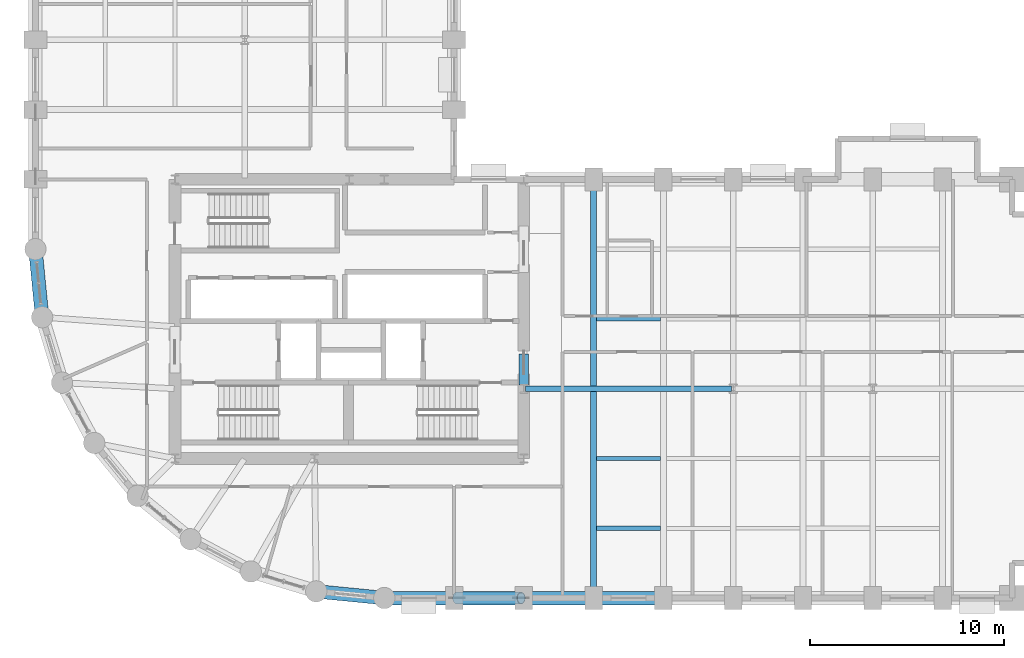
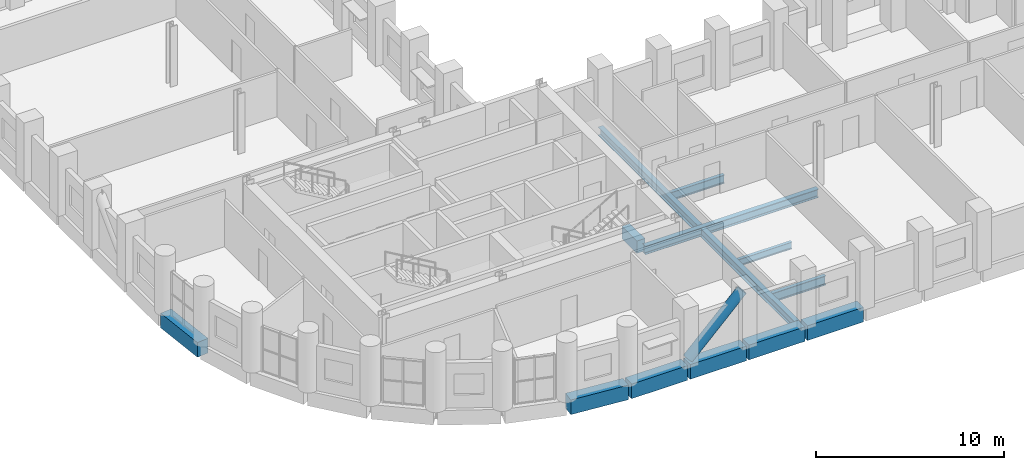
# One storey, part 4 of 13: 12 beams, 1 member.
"""IFC4 building model written with IfcOpenShell, lengths in metres."""

import ifcopenshell
import ifcopenshell.guid

model = None  # the IFC model being written
_history = None  # IfcOwnerHistory: only IFC2X3 demands one
_inside = {}  # id of a spatial element -> (the spatial element, [elements in it])
_under = {}  # id of a project, library or spatial element -> (it, [spatial elements below it])
_declared = {}  # id of a project -> (the project, [libraries it declares])
_typed = {}  # id of a type object -> (the type object, [elements of that type])
_made_of = {}  # id of a material, layer set ... -> (it, [elements and type objects made of it])


def new_model(schema):
    """Start an empty IFC model of exactly this schema.

    Asked for "IFC4X3", IfcOpenShell would pick the latest addendum, in which some entities
    have other attributes; the version numbers below select the first issue.
    IFC2X3 requires an IfcOwnerHistory on every rooted entity: one is made here for all.
    """
    global model, _history
    if schema == "IFC4X3":
        model = ifcopenshell.file(schema_version=(4, 3, 0, 0))
    else:
        model = ifcopenshell.file(schema=schema)
    _inside.clear()
    _under.clear()
    _declared.clear()
    _typed.clear()
    _made_of.clear()
    _history = None
    if model.schema == "IFC2X3":
        org = make("IfcOrganization", Name="unknown")
        user = make(
            "IfcPersonAndOrganization",
            ThePerson=make("IfcPerson", FamilyName="unknown"),
            TheOrganization=org,
        )
        app = make(
            "IfcApplication",
            ApplicationDeveloper=org,
            Version="unknown",
            ApplicationFullName="unknown",
            ApplicationIdentifier="unknown",
        )
        _history = make(
            "IfcOwnerHistory",
            OwningUser=user,
            OwningApplication=app,
            ChangeAction="ADDED",
            CreationDate=0,
        )
    return model


def make(cls, **values):
    """One entity of the class cls with the attributes given. An attribute that is None is left unset."""
    return model.create_entity(
        cls, **{name: value for name, value in values.items() if value is not None}
    )


def rooted(cls, **values):
    """An entity with a GlobalId (a new one), such as an element, a storey or a relation."""
    return make(cls, GlobalId=ifcopenshell.guid.new(), OwnerHistory=_history, **values)


def si_unit(unit_type, name, prefix=None):
    """IfcSIUnit, for example si_unit("LENGTHUNIT", "METRE", prefix="MILLI")."""
    return make("IfcSIUnit", UnitType=unit_type, Prefix=prefix, Name=name)


def assignment(units):
    """IfcUnitAssignment: the units of a project."""
    return None if units is None else make("IfcUnitAssignment", Units=units)


def point(xyz):
    """IfcCartesianPoint."""
    return None if xyz is None else make("IfcCartesianPoint", Coordinates=xyz)


def direction(xyz):
    """IfcDirection."""
    return None if xyz is None else make("IfcDirection", DirectionRatios=xyz)


def frame(location, z_axis=None, x_axis=None):
    """IfcAxis2Placement3D, a coordinate frame: its origin and axes. An axis left out is left unset."""
    return make(
        "IfcAxis2Placement3D",
        Location=point(location),
        Axis=direction(z_axis),
        RefDirection=direction(x_axis),
    )


def frame_2d(location, x_axis=None):
    """IfcAxis2Placement2D, a coordinate frame in the plane: its origin and x axis."""
    return make(
        "IfcAxis2Placement2D", Location=point(location), RefDirection=direction(x_axis)
    )


def origin():
    """The frame at (0, 0, 0) with its axes left unset."""
    return frame((0.0, 0.0, 0.0))


def origin_2d():
    """The frame at (0, 0) in the plane with its x axis left unset."""
    return frame_2d((0.0, 0.0))


def place(relative_to, where):
    """IfcLocalPlacement: puts the frame where relative to a parent placement (None: the world)."""
    return make(
        "IfcLocalPlacement", PlacementRelTo=relative_to, RelativePlacement=where
    )


def context(
    kind, dimensions, precision=None, world=None, true_north=None, identifier=None
):
    """IfcGeometricRepresentationContext, for example the 3D "Model" context."""
    return make(
        "IfcGeometricRepresentationContext",
        ContextIdentifier=identifier,
        ContextType=kind,
        CoordinateSpaceDimension=dimensions,
        Precision=precision,
        WorldCoordinateSystem=world,
        TrueNorth=true_north,
    )


def subcontext(parent, identifier, kind, view, scale=None):
    """IfcGeometricRepresentationSubContext, for example "Body" below "Model"."""
    return make(
        "IfcGeometricRepresentationSubContext",
        ContextIdentifier=identifier,
        ContextType=kind,
        ParentContext=parent,
        TargetScale=scale,
        TargetView=view,
    )


def project(units=None, contexts=None):
    """IfcProject with its units and contexts."""
    return rooted(
        "IfcProject",
        Name="project",
        RepresentationContexts=contexts,
        UnitsInContext=assignment(units),
    )


def spatial(cls, under=None, at=None, **own):
    """A site, building, storey or space (cls), placed at a placement, below another one or the project."""
    s = rooted(cls, ObjectPlacement=at, **own)
    if under is not None:
        _under.setdefault(under.id(), (under, []))[1].append(s)
    return s


def profile(cls, at=None, kind="AREA", **sizes):
    """A parametric profile (cls). Its sizes go by their IFC names, for example OverallWidth=200.0."""
    return make(cls, ProfileType=kind, Position=at, **sizes)


def rectangle(**sizes):
    """IfcRectangleProfileDef."""
    return profile("IfcRectangleProfileDef", **sizes)


def hollow_circle(**sizes):
    """IfcCircleHollowProfileDef."""
    return profile("IfcCircleHollowProfileDef", **sizes)


def i_section(**sizes):
    """IfcIShapeProfileDef."""
    return profile("IfcIShapeProfileDef", **sizes)


def extrude(swept, where, along, depth):
    """IfcExtrudedAreaSolid: the profile swept, set in the frame where, extruded along a direction by depth."""
    return make(
        "IfcExtrudedAreaSolid",
        SweptArea=swept,
        Position=where,
        ExtrudedDirection=direction(along),
        Depth=depth,
    )


def shape(context_of_items, identifier, shape_type, items):
    """IfcShapeRepresentation: the items that make up one representation, for example the "Body"."""
    return make(
        "IfcShapeRepresentation",
        ContextOfItems=context_of_items,
        RepresentationIdentifier=identifier,
        RepresentationType=shape_type,
        Items=items,
    )


def material(Name=None, Category=None):
    """IfcMaterial."""
    return make("IfcMaterial", Name=Name, Category=Category)


def material_profile(
    of_material, cross_section, Name=None, Category=None, Priority=None
):
    """IfcMaterialProfile: a cross section and its material."""
    return make(
        "IfcMaterialProfile",
        Name=Name,
        Material=of_material,
        Profile=cross_section,
        Priority=Priority,
        Category=Category,
    )


def profile_set(profiles, Name=None, composite=None):
    """IfcMaterialProfileSet."""
    return make(
        "IfcMaterialProfileSet",
        Name=Name,
        MaterialProfiles=profiles,
        CompositeProfile=composite,
    )


def made_of(thing, what):
    """Note that an element or type object is made of a material, layer set ...; save() writes the relation."""
    if what is not None:
        _made_of.setdefault(what.id(), (what, []))[1].append(thing)
    return thing


def type_object(cls, material=None, **own):
    """A type object (cls), such as IfcWallType, which elements share."""
    return made_of(rooted(cls, **own), material)


def element(
    cls,
    number,
    at=None,
    inside=None,
    cuts=None,
    type_object=None,
    material=None,
    context=None,
    identifier="Body",
    shape_type=None,
    held_by="IfcProductDefinitionShape",
    body=None,
    shapes=None,
    **own,
):
    """One element of the class cls, such as IfcWall. Its Tag is "e" and its number.

    at: its placement. inside: the storey or other place that contains it. cuts: it is an
    opening in that element (IfcRelVoidsElement). A single representation is given by context,
    identifier, shape_type and body (its items); several are given by shapes. held_by: the class
    of the entity that holds the representations. save() writes the other relations.
    """
    e = rooted(cls, Tag="e%d" % number, ObjectPlacement=at, **own)
    if body is not None:
        shapes = [shape(context, identifier, shape_type, body)]
    if shapes is not None:
        e.Representation = make(held_by, Representations=shapes)
    if inside is not None:
        _inside.setdefault(inside.id(), (inside, []))[1].append(e)
    if cuts is not None:
        rooted(
            "IfcRelVoidsElement", RelatingBuildingElement=cuts, RelatedOpeningElement=e
        )
    if type_object is not None:
        _typed.setdefault(type_object.id(), (type_object, []))[1].append(e)
    return made_of(e, material)


def aggregate(whole, parts):
    """IfcRelAggregates: a whole, such as a stair, and the parts it consists of."""
    return rooted("IfcRelAggregates", RelatingObject=whole, RelatedObjects=parts)


def save(model, path):
    """Write the relations noted so far, then the file.

    IfcRelAggregates (storeys below a building ...), IfcRelContainedInSpatialStructure (elements
    in a storey), IfcRelDefinesByType, IfcRelAssociatesMaterial and IfcRelDeclares: one each for
    every whole, place, type object, material and project.
    """
    for whole, parts in _under.values():
        aggregate(whole, parts)
    for where, things in _inside.values():
        rooted(
            "IfcRelContainedInSpatialStructure",
            RelatedElements=things,
            RelatingStructure=where,
        )
    for kind, things in _typed.values():
        rooted("IfcRelDefinesByType", RelatedObjects=things, RelatingType=kind)
    for what, things in _made_of.values():
        rooted("IfcRelAssociatesMaterial", RelatedObjects=things, RelatingMaterial=what)
    for by, libraries in _declared.values():
        rooted("IfcRelDeclares", RelatingContext=by, RelatedDefinitions=libraries)
    model.write(path)


model = new_model("IFC4")

# Units and contexts
model_context = context("Model", 3, precision=1e-05, world=origin(), true_north=direction((0.0, 1.0)))
body_context = subcontext(model_context, "Body", "Model", "MODEL_VIEW")
ifc_project = project(units=[si_unit("LENGTHUNIT", "METRE"), si_unit("AREAUNIT", "SQUARE_METRE"), si_unit("VOLUMEUNIT", "CUBIC_METRE"), si_unit("PLANEANGLEUNIT", "RADIAN"), si_unit("MASSUNIT", "GRAM", prefix="KILO")], contexts=[model_context])

# Site, building, storey
site_placement = place(None, origin())
site = spatial("IfcSite", under=ifc_project, at=site_placement, CompositionType="ELEMENT")
building_placement = place(site_placement, origin())
building = spatial("IfcBuilding", under=site, at=building_placement, Name="Solnavia Interchange Tower", CompositionType="ELEMENT")
storey_placement = place(building_placement, frame((0.0, 0.0, 39.60009765625)))
storey = spatial("IfcBuildingStorey", under=building, at=storey_placement, Name="L09", CompositionType="ELEMENT", Elevation=39.60009765625)

# Beams
ifc_material_1 = material(Name="Concrete C50/60", Category="concrete")
ifc_material_profile_1 = material_profile(ifc_material_1, rectangle(XDim=0.5, YDim=0.800048828125, at=origin_2d()), Name="RC 500x800")
ifc_profile_set_1 = profile_set([ifc_material_profile_1], Name="Concrete C50/60")
beam_type_1 = type_object("IfcBeamType", Name="Beam-Coupling-RC500x800", PredefinedType="LINTEL", material=ifc_profile_set_1)
beam_1_placement = place(storey_placement, frame((32.39990234375, 14.60009765625, -0.400146484375), z_axis=(0.0, 1.0, 0.0), x_axis=(-1.0, 0.0, 0.0)))
element("IfcBeam", 1, at=beam_1_placement, inside=storey, type_object=beam_type_1, Name="CPB-L09-E1 Core coupling lintel beam", PredefinedType="LINTEL", context=body_context, shape_type="SweptSolid", body=[
    extrude(rectangle(XDim=0.5, YDim=0.800048828125, at=origin_2d()), origin(), (0.0, 0.0, 1.0), 1.599853515625),
])
ifc_material_2 = material(Name="Steel S460", Category="steel")
ifc_material_profile_2 = material_profile(ifc_material_2, i_section(OverallWidth=0.300048828125, OverallDepth=0.550048828125, WebThickness=0.014892578125, FlangeThickness=0.029052734375, FilletRadius=0.027099609375, at=origin_2d()), Name="HEB 550")
ifc_profile_set_2 = profile_set([ifc_material_profile_2], Name="Steel S460")
beam_type_2 = type_object("IfcBeamType", Name="Beam-Girder-HEB550", PredefinedType="BEAM", material=ifc_profile_set_2)
beam_2_placement = place(storey_placement, frame((32.47998046875, 14.39990234375, -0.525146484375), z_axis=(1.0, 0.0, 0.0), x_axis=(0.0, 1.0, 0.0)))
element("IfcBeam", 2, at=beam_2_placement, inside=storey, type_object=beam_type_2, Name="GRD-L09-ES01 East wing spine girder", PredefinedType="BEAM", context=body_context, shape_type="SweptSolid", body=[
    extrude(i_section(OverallWidth=0.300048828125, OverallDepth=0.550048828125, WebThickness=0.014892578125, FlangeThickness=0.029052734375, FilletRadius=0.027099609375, at=origin_2d()), origin(), (0.0, 0.0, 1.0), 10.64013671875),
])
beam_3_placement = place(storey_placement, frame((36.0, 3.679931640625, -0.525146484375), z_axis=(0.0, 1.0, 0.0), x_axis=(-1.0, 0.0, 0.0)))
element("IfcBeam", 3, at=beam_3_placement, inside=storey, type_object=beam_type_2, Name="GRD-L09-EW04 East wing primary floor girder", PredefinedType="BEAM", context=body_context, shape_type="SweptSolid", body=[
    extrude(i_section(OverallWidth=0.300048828125, OverallDepth=0.550048828125, WebThickness=0.014892578125, FlangeThickness=0.029052734375, FilletRadius=0.027099609375, at=origin_2d()), origin(), (0.0, 0.0, 1.0), 21.440185546875),
])
ifc_material_3 = material(Name="Steel S355", Category="steel")
ifc_material_profile_3 = material_profile(ifc_material_3, i_section(OverallWidth=0.18994140625, OverallDepth=0.449951171875, WebThickness=0.009521484375, FlangeThickness=0.0146484375, FilletRadius=0.02099609375, at=origin_2d()), Name="IPE 450")
ifc_profile_set_3 = profile_set([ifc_material_profile_3], Name="Steel S355")
beam_type_3 = type_object("IfcBeamType", Name="Beam-Joist-IPE450", PredefinedType="JOIST", material=ifc_profile_set_3)
beam_4_placement = place(storey_placement, frame((36.14990234375, 10.800048828125, -0.47509765625), z_axis=(1.0, 0.0, 0.0), x_axis=(0.0, 1.0, 0.0)))
element("IfcBeam", 4, at=beam_4_placement, inside=storey, type_object=beam_type_3, Name="JST-L09-E06 East wing secondary joist", PredefinedType="JOIST", context=body_context, shape_type="SweptSolid", body=[
    extrude(i_section(OverallWidth=0.18994140625, OverallDepth=0.449951171875, WebThickness=0.009521484375, FlangeThickness=0.0146484375, FilletRadius=0.02099609375, at=origin_2d()), origin(), (0.0, 0.0, 1.0), 3.300048828125),
])
ifc_material_profile_4 = material_profile(ifc_material_3, i_section(OverallWidth=0.2099609375, OverallDepth=0.550048828125, WebThickness=0.010986328125, FlangeThickness=0.01708984375, FilletRadius=0.02392578125, at=origin_2d()), Name="IPE 550")
ifc_profile_set_4 = profile_set([ifc_material_profile_4], Name="Steel S355")
beam_type_4 = type_object("IfcBeamType", Name="Beam-Joist-IPE550", PredefinedType="JOIST", material=ifc_profile_set_4)
beam_5_placement = place(storey_placement, frame((36.14990234375, 18.0, -0.525146484375), z_axis=(1.0, 0.0, 0.0), x_axis=(0.0, 1.0, 0.0)))
element("IfcBeam", 5, at=beam_5_placement, inside=storey, type_object=beam_type_4, Name="JST-L09-E11 East wing secondary joist", PredefinedType="JOIST", context=body_context, shape_type="SweptSolid", body=[
    extrude(i_section(OverallWidth=0.2099609375, OverallDepth=0.550048828125, WebThickness=0.010986328125, FlangeThickness=0.01708984375, FilletRadius=0.02392578125, at=origin_2d()), origin(), (0.0, 0.0, 1.0), 3.300048828125),
])
ifc_material_profile_5 = material_profile(ifc_material_3, i_section(OverallWidth=0.219970703125, OverallDepth=0.60009765625, WebThickness=0.011962890625, FlangeThickness=0.01904296875, FilletRadius=0.02392578125, at=origin_2d()), Name="IPE 600")
ifc_profile_set_5 = profile_set([ifc_material_profile_5], Name="Steel S355")
beam_type_5 = type_object("IfcBeamType", Name="Beam-Joist-IPE600", PredefinedType="JOIST", material=ifc_profile_set_5)
beam_6_placement = place(storey_placement, frame((36.14990234375, 7.199951171875, -0.550048828125), z_axis=(1.0, 0.0, 0.0), x_axis=(0.0, 1.0, 0.0)))
element("IfcBeam", 6, at=beam_6_placement, inside=storey, type_object=beam_type_5, Name="JST-L09-E01 East wing secondary joist", PredefinedType="JOIST", context=body_context, shape_type="SweptSolid", body=[
    extrude(i_section(OverallWidth=0.219970703125, OverallDepth=0.60009765625, WebThickness=0.011962890625, FlangeThickness=0.01904296875, FilletRadius=0.02392578125, at=origin_2d()), origin(), (0.0, 0.0, 1.0), 3.300048828125),
])
ifc_material_profile_6 = material_profile(ifc_material_1, rectangle(XDim=0.699951171875, YDim=0.949951171875, at=origin_2d()), Name="RC 700x950")
ifc_profile_set_6 = profile_set([ifc_material_profile_6], Name="Concrete C50/60")
beam_type_6 = type_object("IfcBeamType", Name="Beam-Spandrel-RC700x950", PredefinedType="SPANDREL", material=ifc_profile_set_6)
beam_7_placement = place(storey_placement, frame((7.207763671875, 21.5205078125, -0.47509765625), z_axis=(0.098040038117, -0.995182471171, 0.0), x_axis=(0.995182471171, 0.098040038117, 0.0)))
element("IfcBeam", 7, at=beam_7_placement, inside=storey, type_object=beam_type_6, Name="SPB-L09-01 Framed-tube perimeter spandrel beam", PredefinedType="SPANDREL", context=body_context, shape_type="SweptSolid", body=[
    extrude(rectangle(XDim=0.699951171875, YDim=0.949951171875, at=origin_2d()), origin(), (0.0, 0.0, 1.0), 3.369140625),
])
beam_8_placement = place(storey_placement, frame((21.767578125, 3.938232421875, -0.47509765625), z_axis=(0.995181774609, -0.098047108501, 0.0), x_axis=(0.098047108501, 0.995181774609, 0.0)))
element("IfcBeam", 8, at=beam_8_placement, inside=storey, type_object=beam_type_6, Name="SPB-L09-08 Framed-tube perimeter spandrel beam", PredefinedType="SPANDREL", context=body_context, shape_type="SweptSolid", body=[
    extrude(rectangle(XDim=0.699951171875, YDim=0.949951171875, at=origin_2d()), origin(), (0.0, 0.0, 1.0), 3.368896484375),
])
beam_9_placement = place(storey_placement, frame((25.280029296875, 3.60009765625, -0.47509765625), z_axis=(1.0, 0.0, 0.0), x_axis=(0.0, 1.0, 0.0)))
element("IfcBeam", 9, at=beam_9_placement, inside=storey, type_object=beam_type_6, Name="SPB-L09-09 Framed-tube perimeter spandrel beam", PredefinedType="SPANDREL", context=body_context, shape_type="SweptSolid", body=[
    extrude(rectangle(XDim=0.699951171875, YDim=0.949951171875, at=origin_2d()), origin(), (0.0, 0.0, 1.0), 3.43994140625),
])
beam_10_placement = place(storey_placement, frame((28.8798828125, 3.60009765625, -0.47509765625), z_axis=(1.0, 0.0, 0.0), x_axis=(0.0, 1.0, 0.0)))
element("IfcBeam", 10, at=beam_10_placement, inside=storey, type_object=beam_type_6, Name="SPB-L09-10 Framed-tube perimeter spandrel beam", PredefinedType="SPANDREL", context=body_context, shape_type="SweptSolid", body=[
    extrude(rectangle(XDim=0.699951171875, YDim=0.949951171875, at=origin_2d()), origin(), (0.0, 0.0, 1.0), 3.440185546875),
])
for number, where, z_axis, x_axis, name in (
    (11, (32.47998046875, 3.60009765625, -0.47509765625), (1.0, 0.0, 0.0), (0.0, 1.0, 0.0), "SPB-L09-11 Framed-tube perimeter spandrel beam"),
    (12, (36.080078125, 3.60009765625, -0.47509765625), (1.0, 0.0, 0.0), (0.0, 1.0, 0.0), "SPB-L09-12 Framed-tube perimeter spandrel beam"),
):
    element("IfcBeam", number, at=place(storey_placement, frame(where, z_axis=z_axis, x_axis=x_axis)), inside=storey, type_object=beam_type_6, Name=name, PredefinedType="SPANDREL", context=body_context, shape_type="SweptSolid", body=[
        extrude(rectangle(XDim=0.699951171875, YDim=0.949951171875, at=origin_2d()), origin(), (0.0, 0.0, 1.0), 3.43994140625),
    ])

# Member
ifc_material_profile_7 = material_profile(ifc_material_2, hollow_circle(Radius=0.304931640625, WallThickness=0.02490234375, at=origin_2d()), Name="CHS 610x25")
ifc_profile_set_7 = profile_set([ifc_material_profile_7], Name="Steel S460")
member_type = type_object("IfcMemberType", Name="Brace-Perim-CHS610", PredefinedType="BRACE", material=ifc_profile_set_7)
member_placement = place(storey_placement, frame((28.93994140625, 3.60009765625, 0.179931640625), z_axis=(0.710311792477, 0.0, 0.703887176661), x_axis=(0.0, 1.0, 0.0)))
element("IfcMember", 13, at=member_placement, inside=storey, type_object=member_type, Name="BRC-L09-01 Perimeter tube diagonal brace", PredefinedType="BRACE", context=body_context, shape_type="SweptSolid", body=[
    extrude(hollow_circle(Radius=0.304931640625, WallThickness=0.02490234375, at=origin_2d()), origin(), (0.0, 0.0, 1.0), 4.674072265625),
])

save(model, "model.ifc")
